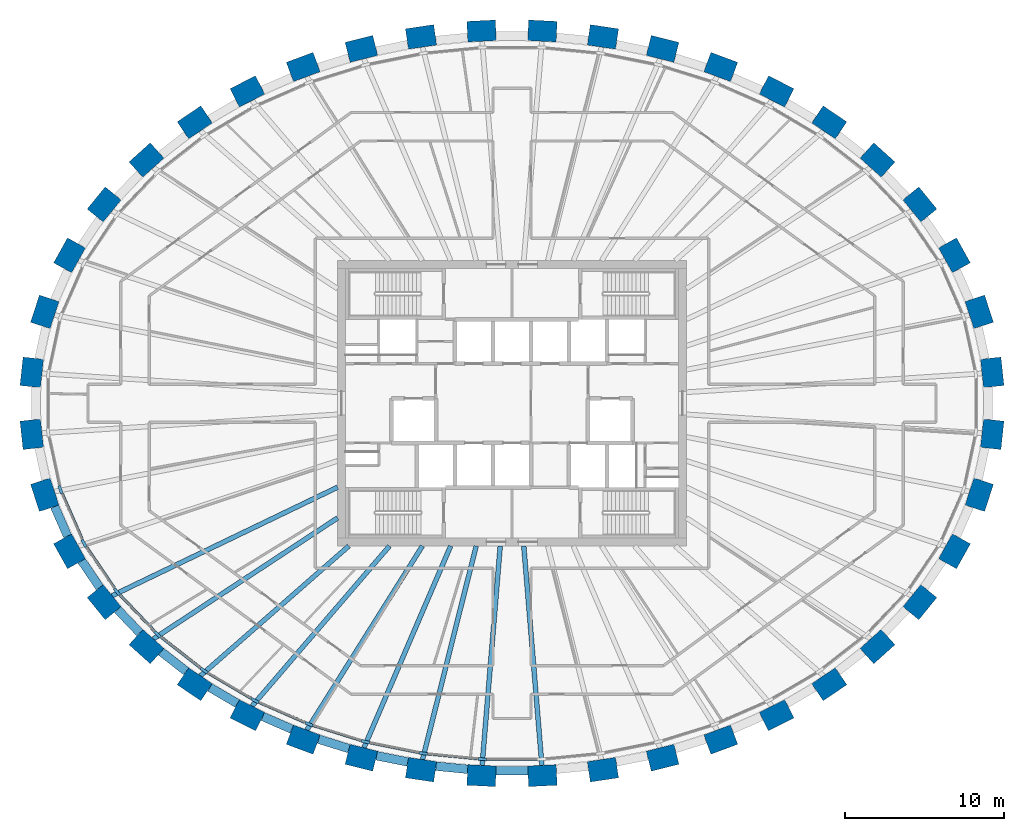
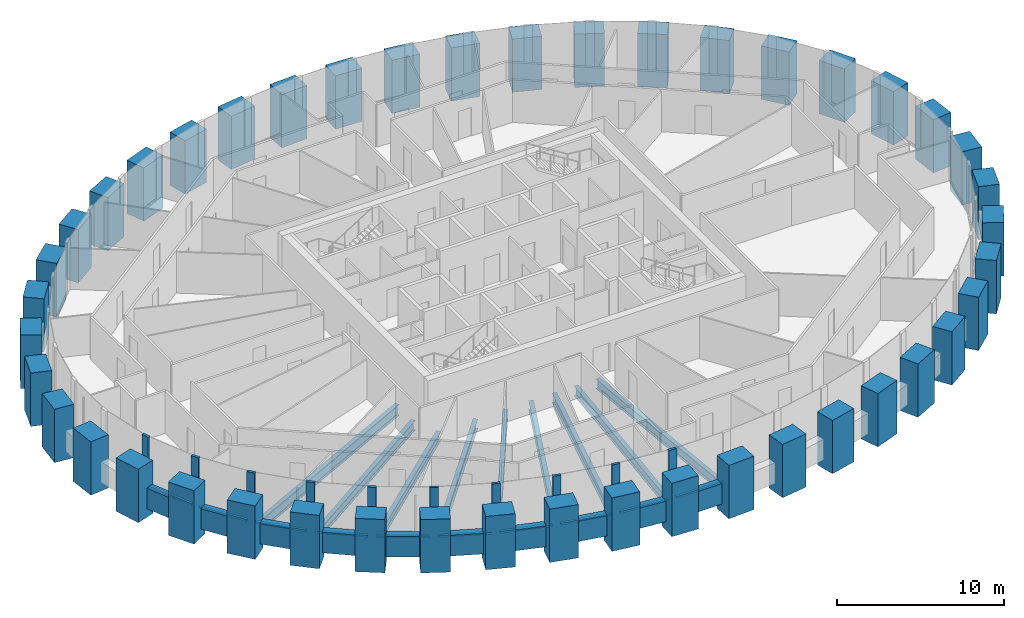
# One storey, part 1 of 12: 44 columns, 20 members, 19 beams, 1 element without a shape of its own.
"""IFC4 building model written with IfcOpenShell, lengths in metres."""

from ifc_helpers import new_model, si_unit, direction, frame, origin, origin_2d, place, context, subcontext, project, spatial, rectangle, i_section, extrude, source, transform, mapped, material, material_profile, profile_set, type_object, element, aggregate, save


model = new_model("IFC4")

# Units and contexts
model_context = context("Model", 3, precision=1e-05, world=origin(), true_north=direction((0.0, 1.0)))
body_context = subcontext(model_context, "Body", "Model", "MODEL_VIEW")
ifc_project = project(units=[si_unit("LENGTHUNIT", "METRE"), si_unit("AREAUNIT", "SQUARE_METRE"), si_unit("VOLUMEUNIT", "CUBIC_METRE"), si_unit("PLANEANGLEUNIT", "RADIAN"), si_unit("MASSUNIT", "GRAM", prefix="KILO")], contexts=[model_context])

# Site, building, storey
site_placement = place(None, origin())
site = spatial("IfcSite", under=ifc_project, at=site_placement, CompositionType="ELEMENT")
building_placement = place(site_placement, origin())
building = spatial("IfcBuilding", under=site, at=building_placement, Name="Embergate Tower", CompositionType="ELEMENT")
storey_placement = place(building_placement, frame((0.0, 0.0, 309.10009765625)))
storey = spatial("IfcBuildingStorey", under=building, at=storey_placement, Name="L72", CompositionType="ELEMENT", Elevation=309.10009765625)

# Columns
ifc_material_1 = material(Name="Concrete C50", Category="concrete")
ifc_material_profile_1 = material_profile(ifc_material_1, rectangle(XDim=1.300048828125, YDim=1.800048828125, at=origin_2d()), Name="RC 1300x1800")
ifc_profile_set_1 = profile_set([ifc_material_profile_1], Name="Concrete C50")
column_type = type_object("IfcColumnType", Name="Ring column RC 1300x1800 C50", PredefinedType="COLUMN", material=ifc_profile_set_1)
shared_shape_1 = source(origin(), body_context, "Body", "SweptSolid", [
    extrude(rectangle(XDim=1.300048828125, YDim=1.800048828125, at=origin_2d()), origin(), (0.0, 0.0, 1.0), 3.900146484375),
])
for number, where, z_axis, x_axis, name in (
    (1, (30.285888671875, 1.951904296875, -1.400146484375), (0.0, 0.0, 1.0), (0.99428589498, 0.106749983816, 0.0), "COL-L72-00"),
    (2, (29.466064453125, 5.76611328125, -1.400146484375), (0.0, 0.0, 1.0), (0.950754033697, 0.309946394413, 0.0), "COL-L72-01"),
    (3, (27.903076171875, 9.3310546875, -1.400146484375), (0.0, 0.0, 1.0), (0.873500465855, 0.486823311018, 0.0), "COL-L72-02"),
    (4, (25.719970703125, 12.541015625, -1.400146484375), (0.0, 0.0, 1.0), (0.775925311702, 0.630824786022, 0.0), "COL-L72-03"),
    (5, (23.050048828125, 15.342041015625, -1.400146484375), (0.0, 0.0, 1.0), (0.669221393633, 0.743063070206, 0.0), "COL-L72-04"),
    (6, (20.007080078125, 17.717041015625, -1.400146484375), (0.0, 0.0, 1.0), (0.560393279442, 0.828226643109, 0.0), "COL-L72-05"),
    (7, (16.68701171875, 19.6689453125, -1.400146484375), (0.0, 0.0, 1.0), (0.453010512651, 0.891505174089, 0.0), "COL-L72-06"),
    (8, (13.1640625, 21.208984375, -1.400146484375), (0.0, 0.0, 1.0), (0.348343015724, 0.93736713373, 0.0), "COL-L72-07"),
    (9, (9.4970703125, 22.35107421875, -1.400146484375), (0.0, 0.0, 1.0), (0.24650851817, 0.969140624713, 0.0), "COL-L72-08"),
    (10, (5.735107421875, 23.10595703125, -1.400146484375), (0.0, 0.0, 1.0), (0.146929011949, 0.989147039346, 0.0), "COL-L72-09"),
    (11, (1.9169921875, 23.48095703125, -1.400146484375), (0.0, 0.0, 1.0), (0.048814904854, 0.998807841912, 0.0), "COL-L72-10"),
    (12, (-1.9169921875, 23.48095703125, -1.400146484375), (0.0, 0.0, 1.0), (-0.048814904854, 0.998807841912, 0.0), "COL-L72-11"),
    (13, (-5.735107421875, 23.10595703125, -1.400146484375), (0.0, 0.0, 1.0), (-0.146929011949, 0.989147039346, 0.0), "COL-L72-12"),
    (14, (-9.4970703125, 22.35107421875, -1.400146484375), (0.0, 0.0, 1.0), (-0.24650851817, 0.969140624713, 0.0), "COL-L72-13"),
    (15, (-13.1640625, 21.208984375, -1.400146484375), (0.0, 0.0, 1.0), (-0.348343015724, 0.93736713373, 0.0), "COL-L72-14"),
    (16, (-16.68701171875, 19.6689453125, -1.400146484375), (0.0, 0.0, 1.0), (-0.453010512651, 0.891505174089, 0.0), "COL-L72-15"),
    (17, (-20.007080078125, 17.717041015625, -1.400146484375), (0.0, 0.0, 1.0), (-0.560393279442, 0.828226643109, 0.0), "COL-L72-16"),
    (18, (-23.050048828125, 15.342041015625, -1.400146484375), (0.0, 0.0, 1.0), (-0.669221393633, 0.743063070206, 0.0), "COL-L72-17"),
    (19, (-25.719970703125, 12.541015625, -1.400146484375), (0.0, 0.0, 1.0), (-0.775925311702, 0.630824786022, 0.0), "COL-L72-18"),
    (20, (-27.903076171875, 9.3310546875, -1.400146484375), (0.0, 0.0, 1.0), (-0.873500465855, 0.486823311018, 0.0), "COL-L72-19"),
    (21, (-29.466064453125, 5.76611328125, -1.400146484375), (0.0, 0.0, 1.0), (-0.950754033697, 0.309946394413, 0.0), "COL-L72-20"),
    (22, (-30.285888671875, 1.951904296875, -1.400146484375), (0.0, 0.0, 1.0), (-0.99428589498, 0.106749983816, 0.0), "COL-L72-21"),
    (23, (-30.285888671875, -1.951904296875, -1.400146484375), (0.0, 0.0, 1.0), (-0.99428589498, -0.106749983816, 0.0), "COL-L72-22"),
    (24, (-29.466064453125, -5.76611328125, -1.400146484375), (0.0, 0.0, 1.0), (-0.950754033697, -0.309946394413, 0.0), "COL-L72-23"),
    (25, (-27.903076171875, -9.3310546875, -1.400146484375), (0.0, 0.0, 1.0), (-0.873500465855, -0.486823311018, 0.0), "COL-L72-24"),
    (26, (-25.719970703125, -12.541015625, -1.400146484375), (0.0, 0.0, 1.0), (-0.775925311702, -0.630824786022, 0.0), "COL-L72-25"),
    (27, (-23.050048828125, -15.342041015625, -1.400146484375), (0.0, 0.0, 1.0), (-0.669221393633, -0.743063070206, 0.0), "COL-L72-26"),
    (28, (-20.007080078125, -17.717041015625, -1.400146484375), (0.0, 0.0, 1.0), (-0.560393279442, -0.828226643109, 0.0), "COL-L72-27"),
    (29, (-16.68701171875, -19.6689453125, -1.400146484375), (0.0, 0.0, 1.0), (-0.453010512651, -0.891505174089, 0.0), "COL-L72-28"),
    (30, (-13.1640625, -21.208984375, -1.400146484375), (0.0, 0.0, 1.0), (-0.348343015724, -0.93736713373, 0.0), "COL-L72-29"),
    (31, (-9.4970703125, -22.35107421875, -1.400146484375), (0.0, 0.0, 1.0), (-0.24650851817, -0.969140624713, 0.0), "COL-L72-30"),
    (32, (-5.735107421875, -23.10595703125, -1.400146484375), (0.0, 0.0, 1.0), (-0.146929011949, -0.989147039346, 0.0), "COL-L72-31"),
    (33, (-1.9169921875, -23.48095703125, -1.400146484375), (0.0, 0.0, 1.0), (-0.048814904854, -0.998807841912, 0.0), "COL-L72-32"),
    (34, (1.9169921875, -23.48095703125, -1.400146484375), (0.0, 0.0, 1.0), (0.048814904854, -0.998807841912, 0.0), "COL-L72-33"),
    (35, (5.735107421875, -23.10595703125, -1.400146484375), (0.0, 0.0, 1.0), (0.146929011949, -0.989147039346, 0.0), "COL-L72-34"),
    (36, (9.4970703125, -22.35107421875, -1.400146484375), (0.0, 0.0, 1.0), (0.24650851817, -0.969140624713, 0.0), "COL-L72-35"),
    (37, (13.1640625, -21.208984375, -1.400146484375), (0.0, 0.0, 1.0), (0.348343015724, -0.93736713373, 0.0), "COL-L72-36"),
    (38, (16.68701171875, -19.6689453125, -1.400146484375), (0.0, 0.0, 1.0), (0.453010512651, -0.891505174089, 0.0), "COL-L72-37"),
    (39, (20.007080078125, -17.717041015625, -1.400146484375), (0.0, 0.0, 1.0), (0.560393279442, -0.828226643109, 0.0), "COL-L72-38"),
    (40, (23.050048828125, -15.342041015625, -1.400146484375), (0.0, 0.0, 1.0), (0.669221393633, -0.743063070206, 0.0), "COL-L72-39"),
    (41, (25.719970703125, -12.541015625, -1.400146484375), (0.0, 0.0, 1.0), (0.775925311702, -0.630824786022, 0.0), "COL-L72-40"),
    (42, (27.903076171875, -9.3310546875, -1.400146484375), (0.0, 0.0, 1.0), (0.873500465855, -0.486823311018, 0.0), "COL-L72-41"),
    (43, (29.466064453125, -5.76611328125, -1.400146484375), (0.0, 0.0, 1.0), (0.950754033697, -0.309946394413, 0.0), "COL-L72-42"),
    (44, (30.285888671875, -1.951904296875, -1.400146484375), (0.0, 0.0, 1.0), (0.99428589498, -0.106749983816, 0.0), "COL-L72-43"),
):
    element("IfcColumn", number, at=place(storey_placement, frame(where, z_axis=z_axis, x_axis=x_axis)), inside=storey, type_object=column_type, Name=name, PredefinedType="COLUMN", context=body_context, shape_type="MappedRepresentation", body=[
        mapped(shared_shape_1, transform((0.0, 0.0, 0.0))),
    ])

# Beams
ifc_material_profile_2 = material_profile(ifc_material_1, rectangle(XDim=0.550048828125, YDim=1.5, at=origin_2d()), Name="RC 550x1500")
ifc_profile_set_2 = profile_set([ifc_material_profile_2], Name="Concrete C50")
beam_type_1 = type_object("IfcBeamType", Name="Spandrel beam RC 550x1500 C50", PredefinedType="BEAM", material=ifc_profile_set_2)
shared_shape_2 = source(origin(), body_context, "Body", "SweptSolid", [
    extrude(rectangle(XDim=0.550048828125, YDim=1.5, at=origin_2d()), origin(), (0.0, 0.0, 1.0), 2.03125),
])
beam_1_placement = place(storey_placement, frame((-28.843017578125, -6.510009765625, 0.0), z_axis=(0.401695096335, -0.915773470669, 0.0), x_axis=(0.915773470669, 0.401695096335, 0.0)))
element("IfcBeam", 45, at=beam_1_placement, inside=storey, type_object=beam_type_1, Name="SPN-L72-23", PredefinedType="BEAM", context=body_context, shape_type="MappedRepresentation", body=[
    mapped(shared_shape_2, transform((0.0, 0.0, 0.0))),
])
shared_shape_3 = source(origin(), body_context, "Body", "SweptSolid", [
    extrude(rectangle(XDim=0.550048828125, YDim=1.5, at=origin_2d()), origin(), (0.0, 0.0, 1.0), 2.02392578125),
])
beam_2_placement = place(storey_placement, frame((-27.137939453125, -9.93505859375, 0.0), z_axis=(0.562220937061, -0.826987072408, 0.0), x_axis=(0.826987072408, 0.562220937061, 0.0)))
element("IfcBeam", 46, at=beam_2_placement, inside=storey, type_object=beam_type_1, Name="SPN-L72-24", PredefinedType="BEAM", context=body_context, shape_type="MappedRepresentation", body=[
    mapped(shared_shape_3, transform((0.0, 0.0, 0.0))),
])
shared_shape_4 = source(origin(), body_context, "Body", "SweptSolid", [
    extrude(rectangle(XDim=0.550048828125, YDim=1.5, at=origin_2d()), origin(), (0.0, 0.0, 1.0), 2.0185546875),
])
beam_3_placement = place(storey_placement, frame((-24.868896484375, -13.009033203125, 0.0), z_axis=(0.690032605045, -0.723778283714, 0.0), x_axis=(0.723778283714, 0.690032605045, 0.0)))
element("IfcBeam", 47, at=beam_3_placement, inside=storey, type_object=beam_type_1, Name="SPN-L72-25", PredefinedType="BEAM", context=body_context, shape_type="MappedRepresentation", body=[
    mapped(shared_shape_4, transform((0.0, 0.0, 0.0))),
])
shared_shape_5 = source(origin(), body_context, "Body", "SweptSolid", [
    extrude(rectangle(XDim=0.550048828125, YDim=1.5, at=origin_2d()), origin(), (0.0, 0.0, 1.0), 2.011962890625),
])
beam_4_placement = place(storey_placement, frame((-22.1279296875, -15.6640625, 0.0), z_axis=(0.788259795351, -0.615342583471, 0.0), x_axis=(0.615342583471, 0.788259795351, 0.0)))
element("IfcBeam", 48, at=beam_4_placement, inside=storey, type_object=beam_type_1, Name="SPN-L72-26", PredefinedType="BEAM", context=body_context, shape_type="MappedRepresentation", body=[
    mapped(shared_shape_5, transform((0.0, 0.0, 0.0))),
])
shared_shape_6 = source(origin(), body_context, "Body", "SweptSolid", [
    extrude(rectangle(XDim=0.550048828125, YDim=1.5, at=origin_2d()), origin(), (0.0, 0.0, 1.0), 2.008056640625),
])
beam_5_placement = place(storey_placement, frame((-19.052978515625, -17.9140625, 0.0), z_axis=(0.86201859197, -0.506876658663, 0.0), x_axis=(0.506876658663, 0.86201859197, 0.0)))
element("IfcBeam", 49, at=beam_5_placement, inside=storey, type_object=beam_type_1, Name="SPN-L72-27", PredefinedType="BEAM", context=body_context, shape_type="MappedRepresentation", body=[
    mapped(shared_shape_6, transform((0.0, 0.0, 0.0))),
])
shared_shape_7 = source(origin(), body_context, "Body", "SweptSolid", [
    extrude(rectangle(XDim=0.550048828125, YDim=1.5, at=origin_2d()), origin(), (0.0, 0.0, 1.0), 2.0068359375),
])
beam_6_placement = place(storey_placement, frame((-15.718994140625, -19.75, 0.0), z_axis=(0.916455842534, -0.400135837793, 0.0), x_axis=(0.400135837793, 0.916455842534, 0.0)))
element("IfcBeam", 50, at=beam_6_placement, inside=storey, type_object=beam_type_1, Name="SPN-L72-28", PredefinedType="BEAM", context=body_context, shape_type="MappedRepresentation", body=[
    mapped(shared_shape_7, transform((0.0, 0.0, 0.0))),
])
shared_shape_8 = source(origin(), body_context, "Body", "SweptSolid", [
    extrude(rectangle(XDim=0.550048828125, YDim=1.5, at=origin_2d()), origin(), (0.0, 0.0, 1.0), 2.0048828125),
])
beam_7_placement = place(storey_placement, frame((-12.194091796875, -21.181884765625, 0.0), z_axis=(0.954756929567, -0.297387298725, 0.0), x_axis=(0.297387298725, 0.954756929567, 0.0)))
element("IfcBeam", 51, at=beam_7_placement, inside=storey, type_object=beam_type_1, Name="SPN-L72-29", PredefinedType="BEAM", context=body_context, shape_type="MappedRepresentation", body=[
    mapped(shared_shape_8, transform((0.0, 0.0, 0.0))),
])
shared_shape_9 = source(origin(), body_context, "Body", "SweptSolid", [
    extrude(rectangle(XDim=0.550048828125, YDim=1.5, at=origin_2d()), origin(), (0.0, 0.0, 1.0), 2.003173828125),
])
beam_8_placement = place(storey_placement, frame((-8.535888671875, -22.222900390625, 0.0), z_axis=(0.980364457571, -0.197194143753, 0.0), x_axis=(0.197194143753, 0.980364457571, 0.0)))
element("IfcBeam", 52, at=beam_8_placement, inside=storey, type_object=beam_type_1, Name="SPN-L72-30", PredefinedType="BEAM", context=body_context, shape_type="MappedRepresentation", body=[
    mapped(shared_shape_9, transform((0.0, 0.0, 0.0))),
])
shared_shape_10 = source(origin(), body_context, "Body", "SweptSolid", [
    extrude(rectangle(XDim=0.550048828125, YDim=1.5, at=origin_2d()), origin(), (0.0, 0.0, 1.0), 2.00341796875),
])
beam_9_placement = place(storey_placement, frame((-4.7919921875, -22.883056640625, 0.0), z_axis=(0.995201107697, -0.097850678276, 0.0), x_axis=(0.097850678276, 0.995201107697, 0.0)))
element("IfcBeam", 53, at=beam_9_placement, inside=storey, type_object=beam_type_1, Name="SPN-L72-31", PredefinedType="BEAM", context=body_context, shape_type="MappedRepresentation", body=[
    mapped(shared_shape_10, transform((0.0, 0.0, 0.0))),
])
shared_shape_11 = source(origin(), body_context, "Body", "SweptSolid", [
    extrude(rectangle(XDim=0.550048828125, YDim=1.5, at=origin_2d()), origin(), (0.0, 0.0, 1.0), 2.001953125),
])
beam_10_placement = place(storey_placement, frame((-1.0009765625, -23.1669921875, 0.0), z_axis=(1.0, 0.0, 0.0), x_axis=(0.0, 1.0, 0.0)))
element("IfcBeam", 54, at=beam_10_placement, inside=storey, type_object=beam_type_1, Name="SPN-L72-32", PredefinedType="BEAM", context=body_context, shape_type="MappedRepresentation", body=[
    mapped(shared_shape_11, transform((0.0, 0.0, 0.0))),
])
ifc_material_2 = material(Name="Steel Q355B", Category="steel")
ifc_material_profile_3 = material_profile(ifc_material_2, i_section(OverallWidth=0.300048828125, OverallDepth=0.800048828125, WebThickness=0.013916015625, FlangeThickness=0.02587890625, FilletRadius=0.028076171875, at=origin_2d()), Name="HN 800x300x14x26")
ifc_profile_set_3 = profile_set([ifc_material_profile_3], Name="Steel Q355 grade B")
beam_type_2 = type_object("IfcBeamType", Name="Radial girder HN 800x300x14x26", PredefinedType="BEAM", material=ifc_profile_set_3)
shared_shape_12 = source(origin(), body_context, "Body", "SweptSolid", [
    extrude(i_section(OverallWidth=0.300048828125, OverallDepth=0.800048828125, WebThickness=0.013916015625, FlangeThickness=0.02587890625, FilletRadius=0.028076171875, at=origin_2d()), origin(), (0.0, 0.0, 1.0), 15.775634765625),
])
beam_11_placement = place(storey_placement, frame((-25.216064453125, -12.131103515625, -0.60009765625), z_axis=(0.901141870193, 0.433524312795, 0.0), x_axis=(-0.433524312795, 0.901141870193, 0.0)))
element("IfcBeam", 55, at=beam_11_placement, inside=storey, type_object=beam_type_2, Name="GIR-L72-25", PredefinedType="BEAM", context=body_context, shape_type="MappedRepresentation", body=[
    mapped(shared_shape_12, transform((0.0, 0.0, 0.0))),
])
ifc_material_profile_4 = material_profile(ifc_material_2, i_section(OverallWidth=0.300048828125, OverallDepth=0.699951171875, WebThickness=0.012939453125, FlangeThickness=0.02392578125, FilletRadius=0.01806640625, at=origin_2d()), Name="HN 700x300x13x24")
ifc_profile_set_4 = profile_set([ifc_material_profile_4], Name="Steel Q355 grade B")
beam_type_3 = type_object("IfcBeamType", Name="Radial girder HN 700x300x13x24", PredefinedType="BEAM", material=ifc_profile_set_4)
shared_shape_13 = source(origin(), body_context, "Body", "SweptSolid", [
    extrude(i_section(OverallWidth=0.300048828125, OverallDepth=0.699951171875, WebThickness=0.012939453125, FlangeThickness=0.02392578125, FilletRadius=0.01806640625, at=origin_2d()), origin(), (0.0, 0.0, 1.0), 13.89794921875),
])
beam_12_placement = place(storey_placement, frame((-22.614990234375, -14.85888671875, -0.550048828125), z_axis=(0.835734272266, 0.549134069386, 0.0), x_axis=(-0.549134069386, 0.835734272266, 0.0)))
element("IfcBeam", 56, at=beam_12_placement, inside=storey, type_object=beam_type_3, Name="GIR-L72-26", PredefinedType="BEAM", context=body_context, shape_type="MappedRepresentation", body=[
    mapped(shared_shape_13, transform((0.0, 0.0, 0.0))),
])
shared_shape_14 = source(origin(), body_context, "Body", "SweptSolid", [
    extrude(i_section(OverallWidth=0.300048828125, OverallDepth=0.699951171875, WebThickness=0.012939453125, FlangeThickness=0.02392578125, FilletRadius=0.01806640625, at=origin_2d()), origin(), (0.0, 0.0, 1.0), 12.424072265625),
])
beam_13_placement = place(storey_placement, frame((-19.64306640625, -17.178955078125, -0.550048828125), z_axis=(0.752739789834, 0.658318166847, 0.0), x_axis=(-0.658318166847, 0.752739789834, 0.0)))
element("IfcBeam", 57, at=beam_13_placement, inside=storey, type_object=beam_type_3, Name="GIR-L72-27", PredefinedType="BEAM", context=body_context, shape_type="MappedRepresentation", body=[
    mapped(shared_shape_14, transform((0.0, 0.0, 0.0))),
])
shared_shape_15 = source(origin(), body_context, "Body", "SweptSolid", [
    extrude(i_section(OverallWidth=0.300048828125, OverallDepth=0.699951171875, WebThickness=0.012939453125, FlangeThickness=0.02392578125, FilletRadius=0.01806640625, at=origin_2d()), origin(), (0.0, 0.0, 1.0), 13.300048828125),
])
beam_14_placement = place(storey_placement, frame((-16.39306640625, -19.090087890625, -0.550048828125), z_axis=(0.651501585067, 0.758647272885, 0.0), x_axis=(-0.758647272885, 0.651501585067, 0.0)))
element("IfcBeam", 58, at=beam_14_placement, inside=storey, type_object=beam_type_3, Name="GIR-L72-28", PredefinedType="BEAM", context=body_context, shape_type="MappedRepresentation", body=[
    mapped(shared_shape_15, transform((0.0, 0.0, 0.0))),
])
shared_shape_16 = source(origin(), body_context, "Body", "SweptSolid", [
    extrude(i_section(OverallWidth=0.300048828125, OverallDepth=0.699951171875, WebThickness=0.012939453125, FlangeThickness=0.02392578125, FilletRadius=0.01806640625, at=origin_2d()), origin(), (0.0, 0.0, 1.0), 13.698486328125),
])
beam_15_placement = place(storey_placement, frame((-12.93798828125, -20.60009765625, -0.550048828125), z_axis=(0.5318784163, 0.846820730895, 0.0), x_axis=(-0.846820730895, 0.5318784163, 0.0)))
element("IfcBeam", 59, at=beam_15_placement, inside=storey, type_object=beam_type_3, Name="GIR-L72-29", PredefinedType="BEAM", context=body_context, shape_type="MappedRepresentation", body=[
    mapped(shared_shape_16, transform((0.0, 0.0, 0.0))),
])
shared_shape_17 = source(origin(), body_context, "Body", "SweptSolid", [
    extrude(i_section(OverallWidth=0.300048828125, OverallDepth=0.699951171875, WebThickness=0.012939453125, FlangeThickness=0.02392578125, FilletRadius=0.01806640625, at=origin_2d()), origin(), (0.0, 0.0, 1.0), 13.846435546875),
])
beam_16_placement = place(storey_placement, frame((-9.3369140625, -21.720947265625, -0.550048828125), z_axis=(0.394906469697, 0.918721328909, 0.0), x_axis=(-0.918721328909, 0.394906469697, 0.0)))
element("IfcBeam", 60, at=beam_16_placement, inside=storey, type_object=beam_type_3, Name="GIR-L72-30", PredefinedType="BEAM", context=body_context, shape_type="MappedRepresentation", body=[
    mapped(shared_shape_17, transform((0.0, 0.0, 0.0))),
])
shared_shape_18 = source(origin(), body_context, "Body", "SweptSolid", [
    extrude(i_section(OverallWidth=0.300048828125, OverallDepth=0.699951171875, WebThickness=0.012939453125, FlangeThickness=0.02392578125, FilletRadius=0.01806640625, at=origin_2d()), origin(), (0.0, 0.0, 1.0), 13.88037109375),
])
beam_17_placement = place(storey_placement, frame((-5.638916015625, -22.462890625, -0.550048828125), z_axis=(0.243429448645, 0.969918606653, 0.0), x_axis=(-0.969918606653, 0.243429448645, 0.0)))
element("IfcBeam", 61, at=beam_17_placement, inside=storey, type_object=beam_type_3, Name="GIR-L72-31", PredefinedType="BEAM", context=body_context, shape_type="MappedRepresentation", body=[
    mapped(shared_shape_18, transform((0.0, 0.0, 0.0))),
])
shared_shape_19 = source(origin(), body_context, "Body", "SweptSolid", [
    extrude(i_section(OverallWidth=0.300048828125, OverallDepth=0.699951171875, WebThickness=0.012939453125, FlangeThickness=0.02392578125, FilletRadius=0.01806640625, at=origin_2d()), origin(), (0.0, 0.0, 1.0), 13.879150390625),
])
for number, where, z_axis, x_axis, name in (
    (62, (-1.885009765625, -22.83203125, -0.550048828125), (0.082288456924, 0.996608553975, 0.0), (-0.996608553975, 0.082288456924, 0.0), "GIR-L72-32"),
    (63, (1.885009765625, -22.83203125, -0.550048828125), (-0.082288456924, 0.996608553975, 0.0), (-0.996608553975, -0.082288456924, 0.0), "GIR-L72-33"),
):
    element("IfcBeam", number, at=place(storey_placement, frame(where, z_axis=z_axis, x_axis=x_axis)), inside=storey, type_object=beam_type_3, Name=name, PredefinedType="BEAM", context=body_context, shape_type="MappedRepresentation", body=[
        mapped(shared_shape_19, transform((0.0, 0.0, 0.0))),
    ])

# Curtain wall, members
ifc_material_3 = material(Name="Aluminium and glass", Category="aluminium")
curtain_wall_type = type_object("IfcCurtainWallType", Name="Recessed office glazing", PredefinedType="NOTDEFINED", material=ifc_material_3)
curtain_wall_placement = place(storey_placement, origin())
curtain_wall = element("IfcCurtainWall", 64, at=curtain_wall_placement, inside=storey, type_object=curtain_wall_type, Name="Recessed office glazing ring", ObjectType="RECESSED OFFICE GLAZING", PredefinedType="USERDEFINED")
ifc_material_4 = material(Name="Aluminium, thermally broken", Category="aluminium")
ifc_material_profile_5 = material_profile(ifc_material_4, rectangle(XDim=0.179931640625, YDim=0.52001953125, at=origin_2d()), Name="AL 520x180")
ifc_profile_set_5 = profile_set([ifc_material_profile_5], Name="Aluminium, thermally broken")
member_type_1 = type_object("IfcMemberType", Name="Office mullion", PredefinedType="MULLION", material=ifc_profile_set_5)
shared_shape_20 = source(origin(), body_context, "Body", "SweptSolid", [
    extrude(rectangle(XDim=0.179931640625, YDim=0.52001953125, at=origin_2d()), origin(), (0.0, 0.0, 1.0), 3.699951171875),
])
member_1_placement = place(storey_placement, frame((-28.47705078125, -5.44384765625, 0.0), z_axis=(0.0, 0.0, 1.0), x_axis=(0.951492965233, 0.307670500881, 0.0)))
member_1 = element("IfcMember", 65, at=member_1_placement, type_object=member_type_1, Name="CW mullion 24", PredefinedType="MULLION", context=body_context, shape_type="MappedRepresentation", body=[
    mapped(shared_shape_20, transform((0.0, 0.0, 0.0))),
])
member_2_placement = place(storey_placement, frame((-26.994140625, -8.824951171875, 0.0), z_axis=(0.0, 0.0, 1.0), x_axis=(0.87499344622, 0.484134763338, 0.0)))
member_2 = element("IfcMember", 66, at=member_2_placement, type_object=member_type_1, Name="CW mullion 25", PredefinedType="MULLION", context=body_context, shape_type="MappedRepresentation", body=[
    mapped(shared_shape_20, transform((0.0, 0.0, 0.0))),
])
member_3_placement = place(storey_placement, frame((-24.913330078125, -11.884765625, 0.0), z_axis=(0.0, 0.0, 1.0), x_axis=(0.777863789852, 0.628432911643, 0.0)))
member_3 = element("IfcMember", 67, at=member_3_placement, type_object=member_type_1, Name="CW mullion 26", PredefinedType="MULLION", context=body_context, shape_type="MappedRepresentation", body=[
    mapped(shared_shape_20, transform((0.0, 0.0, 0.0))),
])
member_4_placement = place(storey_placement, frame((-22.353759765625, -14.56884765625, 0.0), z_axis=(0.0, 0.0, 1.0), x_axis=(0.671220065284, 0.741258135847, 0.0)))
member_4 = element("IfcMember", 68, at=member_4_placement, type_object=member_type_1, Name="CW mullion 27", PredefinedType="MULLION", context=body_context, shape_type="MappedRepresentation", body=[
    mapped(shared_shape_20, transform((0.0, 0.0, 0.0))),
])
member_5_placement = place(storey_placement, frame((-19.42431640625, -16.855224609375, 0.0), z_axis=(0.0, 0.0, 1.0), x_axis=(0.56221328843, 0.826992272221, 0.0)))
member_5 = element("IfcMember", 69, at=member_5_placement, type_object=member_type_1, Name="CW mullion 28", PredefinedType="MULLION", context=body_context, shape_type="MappedRepresentation", body=[
    mapped(shared_shape_20, transform((0.0, 0.0, 0.0))),
])
member_6_placement = place(storey_placement, frame((-16.2158203125, -18.741455078125, 0.0), z_axis=(0.0, 0.0, 1.0), x_axis=(0.454508271251, 0.890742516872, 0.0)))
member_6 = element("IfcMember", 70, at=member_6_placement, type_object=member_type_1, Name="CW mullion 29", PredefinedType="MULLION", context=body_context, shape_type="MappedRepresentation", body=[
    mapped(shared_shape_20, transform((0.0, 0.0, 0.0))),
])
member_7_placement = place(storey_placement, frame((-12.801513671875, -20.234619140625, 0.0), z_axis=(0.0, 0.0, 1.0), x_axis=(0.349501047589, 0.936935973124, 0.0)))
member_7 = element("IfcMember", 71, at=member_7_placement, type_object=member_type_1, Name="CW mullion 30", PredefinedType="MULLION", context=body_context, shape_type="MappedRepresentation", body=[
    mapped(shared_shape_20, transform((0.0, 0.0, 0.0))),
])
member_8_placement = place(storey_placement, frame((-9.240478515625, -21.343505859375, 0.0), z_axis=(0.0, 0.0, 1.0), x_axis=(0.24731188137, 0.968935928394, 0.0)))
member_8 = element("IfcMember", 72, at=member_8_placement, type_object=member_type_1, Name="CW mullion 31", PredefinedType="MULLION", context=body_context, shape_type="MappedRepresentation", body=[
    mapped(shared_shape_20, transform((0.0, 0.0, 0.0))),
])
member_9_placement = place(storey_placement, frame((-5.581787109375, -22.0771484375, 0.0), z_axis=(0.0, 0.0, 1.0), x_axis=(0.147412382818, 0.989075118174, 0.0)))
member_9 = element("IfcMember", 73, at=member_9_placement, type_object=member_type_1, Name="CW mullion 32", PredefinedType="MULLION", context=body_context, shape_type="MappedRepresentation", body=[
    mapped(shared_shape_20, transform((0.0, 0.0, 0.0))),
])
member_10_placement = place(storey_placement, frame((-1.86669921875, -22.4423828125, 0.0), z_axis=(0.0, 0.0, 1.0), x_axis=(0.048971796621, 0.998800161762, 0.0)))
member_10 = element("IfcMember", 74, at=member_10_placement, type_object=member_type_1, Name="CW mullion 33", PredefinedType="MULLION", context=body_context, shape_type="MappedRepresentation", body=[
    mapped(shared_shape_20, transform((0.0, 0.0, 0.0))),
])
ifc_material_profile_6 = material_profile(ifc_material_4, rectangle(XDim=0.179931640625, YDim=0.14990234375, at=origin_2d()), Name="AL 150x180")
ifc_profile_set_6 = profile_set([ifc_material_profile_6], Name="Aluminium, thermally broken")
member_type_2 = type_object("IfcMemberType", Name="Office sill transom", PredefinedType="USERDEFINED", material=ifc_profile_set_6)
shared_shape_21 = source(origin(), body_context, "Body", "SweptSolid", [
    extrude(rectangle(XDim=0.179931640625, YDim=0.14990234375, at=origin_2d()), origin(), (0.0, 0.0, 1.0), 3.172119140625),
])
member_11_placement = place(storey_placement, frame((-28.37255859375, -5.681884765625, 0.074951171875), z_axis=(0.401606005278, -0.915812544424, 0.0), x_axis=(0.915812544424, 0.401606005278, 0.0)))
member_11 = element("IfcMember", 75, at=member_11_placement, type_object=member_type_2, Name="CW transom 24.1", ObjectType="TRANSOM", PredefinedType="USERDEFINED", context=body_context, shape_type="MappedRepresentation", body=[
    mapped(shared_shape_21, transform((0.0, 0.0, 0.0))),
])
shared_shape_22 = source(origin(), body_context, "Body", "SweptSolid", [
    extrude(rectangle(XDim=0.179931640625, YDim=0.14990234375, at=origin_2d()), origin(), (0.0, 0.0, 1.0), 3.180419921875),
])
member_12_placement = place(storey_placement, frame((-26.847900390625, -9.039794921875, 0.074951171875), z_axis=(0.562276427382, -0.826949345009, 0.0), x_axis=(0.826949345009, 0.562276427382, 0.0)))
member_12 = element("IfcMember", 76, at=member_12_placement, type_object=member_type_2, Name="CW transom 25.1", ObjectType="TRANSOM", PredefinedType="USERDEFINED", context=body_context, shape_type="MappedRepresentation", body=[
    mapped(shared_shape_22, transform((0.0, 0.0, 0.0))),
])
shared_shape_23 = source(origin(), body_context, "Body", "SweptSolid", [
    extrude(rectangle(XDim=0.179931640625, YDim=0.14990234375, at=origin_2d()), origin(), (0.0, 0.0, 1.0), 3.188720703125),
])
member_13_placement = place(storey_placement, frame((-24.73388671875, -12.072998046875, 0.074951171875), z_axis=(0.690140615527, -0.723675293761, 0.0), x_axis=(0.723675293761, 0.690140615527, 0.0)))
member_13 = element("IfcMember", 77, at=member_13_placement, type_object=member_type_2, Name="CW transom 26.1", ObjectType="TRANSOM", PredefinedType="USERDEFINED", context=body_context, shape_type="MappedRepresentation", body=[
    mapped(shared_shape_23, transform((0.0, 0.0, 0.0))),
])
shared_shape_24 = source(origin(), body_context, "Body", "SweptSolid", [
    extrude(rectangle(XDim=0.179931640625, YDim=0.14990234375, at=origin_2d()), origin(), (0.0, 0.0, 1.0), 3.196044921875),
])
member_14_placement = place(storey_placement, frame((-22.148681640625, -14.728759765625, 0.074951171875), z_axis=(0.788302228684, -0.615288222098, 0.0), x_axis=(0.615288222098, 0.788302228684, 0.0)))
member_14 = element("IfcMember", 78, at=member_14_placement, type_object=member_type_2, Name="CW transom 27.1", ObjectType="TRANSOM", PredefinedType="USERDEFINED", context=body_context, shape_type="MappedRepresentation", body=[
    mapped(shared_shape_24, transform((0.0, 0.0, 0.0))),
])
shared_shape_25 = source(origin(), body_context, "Body", "SweptSolid", [
    extrude(rectangle(XDim=0.179931640625, YDim=0.14990234375, at=origin_2d()), origin(), (0.0, 0.0, 1.0), 3.201904296875),
])
member_15_placement = place(storey_placement, frame((-19.2001953125, -16.98681640625, 0.074951171875), z_axis=(0.862053756613, -0.506816851248, 0.0), x_axis=(0.506816851248, 0.862053756613, 0.0)))
member_15 = element("IfcMember", 79, at=member_15_placement, type_object=member_type_2, Name="CW transom 28.1", ObjectType="TRANSOM", PredefinedType="USERDEFINED", context=body_context, shape_type="MappedRepresentation", body=[
    mapped(shared_shape_25, transform((0.0, 0.0, 0.0))),
])
shared_shape_26 = source(origin(), body_context, "Body", "SweptSolid", [
    extrude(rectangle(XDim=0.179931640625, YDim=0.14990234375, at=origin_2d()), origin(), (0.0, 0.0, 1.0), 3.206298828125),
])
member_16_placement = place(storey_placement, frame((-15.9775390625, -18.845703125, 0.074951171875), z_axis=(0.916225475643, -0.400663047688, 0.0), x_axis=(0.400663047688, 0.916225475643, 0.0)))
member_16 = element("IfcMember", 80, at=member_16_placement, type_object=member_type_2, Name="CW transom 29.1", ObjectType="TRANSOM", PredefinedType="USERDEFINED", context=body_context, shape_type="MappedRepresentation", body=[
    mapped(shared_shape_26, transform((0.0, 0.0, 0.0))),
])
shared_shape_27 = source(origin(), body_context, "Body", "SweptSolid", [
    extrude(rectangle(XDim=0.179931640625, YDim=0.14990234375, at=origin_2d()), origin(), (0.0, 0.0, 1.0), 3.20947265625),
])
member_17_placement = place(storey_placement, frame((-12.55322265625, -20.311767578125, 0.074951171875), z_axis=(0.954765144534, -0.297360923431, 0.0), x_axis=(0.297360923431, 0.954765144534, 0.0)))
member_17 = element("IfcMember", 81, at=member_17_placement, type_object=member_type_2, Name="CW transom 30.1", ObjectType="TRANSOM", PredefinedType="USERDEFINED", context=body_context, shape_type="MappedRepresentation", body=[
    mapped(shared_shape_27, transform((0.0, 0.0, 0.0))),
])
shared_shape_28 = source(origin(), body_context, "Body", "SweptSolid", [
    extrude(rectangle(XDim=0.179931640625, YDim=0.14990234375, at=origin_2d()), origin(), (0.0, 0.0, 1.0), 3.211669921875),
])
member_18_placement = place(storey_placement, frame((-8.985595703125, -21.39453125, 0.074951171875), z_axis=(0.980472347912, -0.196656998298, 0.0), x_axis=(0.196656998298, 0.980472347912, 0.0)))
member_18 = element("IfcMember", 82, at=member_18_placement, type_object=member_type_2, Name="CW transom 31.1", ObjectType="TRANSOM", PredefinedType="USERDEFINED", context=body_context, shape_type="MappedRepresentation", body=[
    mapped(shared_shape_28, transform((0.0, 0.0, 0.0))),
])
shared_shape_29 = source(origin(), body_context, "Body", "SweptSolid", [
    extrude(rectangle(XDim=0.179931640625, YDim=0.14990234375, at=origin_2d()), origin(), (0.0, 0.0, 1.0), 3.212890625),
])
member_19_placement = place(storey_placement, frame((-5.322998046875, -22.102783203125, 0.074951171875), z_axis=(0.995206508067, -0.097795737641, 0.0), x_axis=(0.097795737641, 0.995206508067, 0.0)))
member_19 = element("IfcMember", 83, at=member_19_placement, type_object=member_type_2, Name="CW transom 32.1", ObjectType="TRANSOM", PredefinedType="USERDEFINED", context=body_context, shape_type="MappedRepresentation", body=[
    mapped(shared_shape_29, transform((0.0, 0.0, 0.0))),
])
shared_shape_30 = source(origin(), body_context, "Body", "SweptSolid", [
    extrude(rectangle(XDim=0.179931640625, YDim=0.14990234375, at=origin_2d()), origin(), (0.0, 0.0, 1.0), 3.21337890625),
])
member_20_placement = place(storey_placement, frame((-1.606689453125, -22.4423828125, 0.074951171875), z_axis=(1.0, 0.0, 0.0), x_axis=(0.0, 1.0, 0.0)))
member_20 = element("IfcMember", 84, at=member_20_placement, type_object=member_type_2, Name="CW transom 33.1", ObjectType="TRANSOM", PredefinedType="USERDEFINED", context=body_context, shape_type="MappedRepresentation", body=[
    mapped(shared_shape_30, transform((0.0, 0.0, 0.0))),
])
aggregate(curtain_wall, [member_1, member_2, member_3, member_4, member_5, member_6, member_7, member_8, member_9, member_10, member_11, member_12, member_13, member_14, member_15, member_16, member_17, member_18, member_19, member_20])

save(model, "model.ifc")
